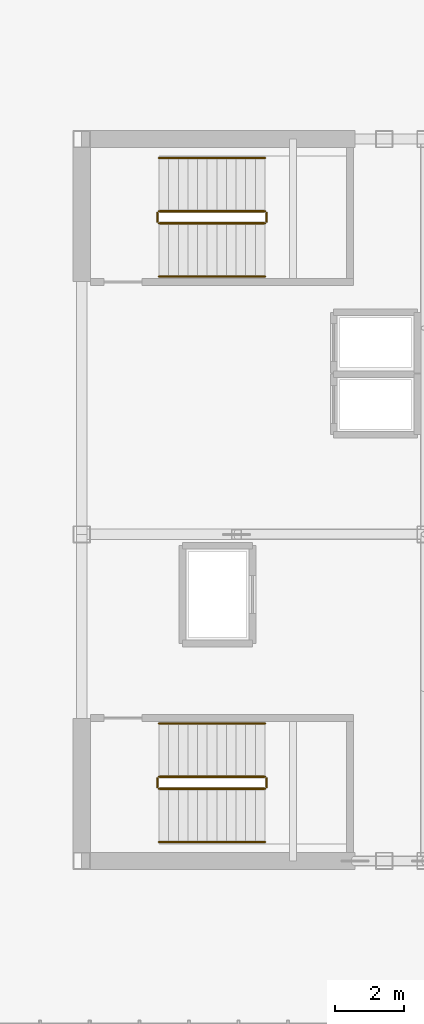
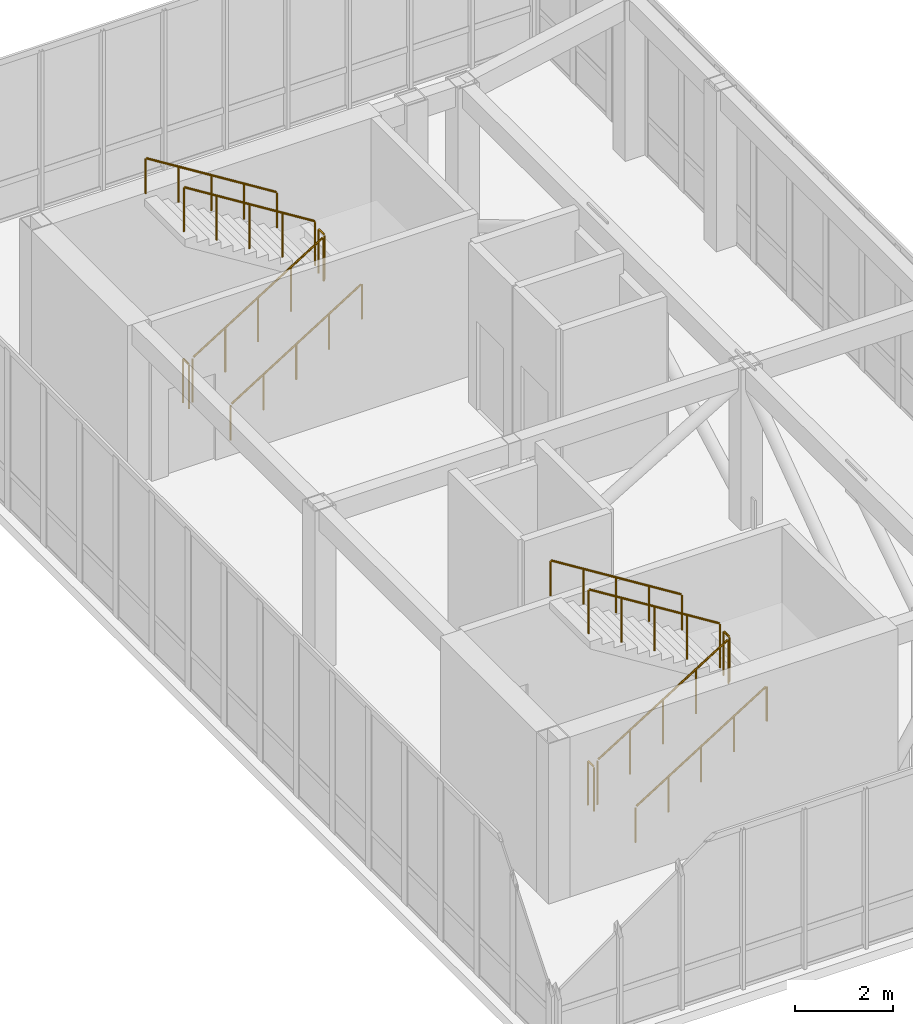
# One storey, part 13 of 13: 12 railings.
"""IFC4 building model written with IfcOpenShell, lengths in metres."""

from ifc_helpers import new_model, si_unit, direction, frame, origin, origin_2d, place, context, subcontext, project, spatial, circle, extrude, source, transform, mapped, material, layer, layer_set, type_object, element, save


model = new_model("IFC4")

# Units and contexts
model_context = context("Model", 3, precision=1e-05, world=origin(), true_north=direction((0.0, 1.0)))
body_context = subcontext(model_context, "Body", "Model", "MODEL_VIEW")
ifc_project = project(units=[si_unit("LENGTHUNIT", "METRE"), si_unit("AREAUNIT", "SQUARE_METRE"), si_unit("VOLUMEUNIT", "CUBIC_METRE"), si_unit("PLANEANGLEUNIT", "RADIAN"), si_unit("MASSUNIT", "GRAM", prefix="KILO")], contexts=[model_context])

# Site, building, storey
site_placement = place(None, origin())
site = spatial("IfcSite", under=ifc_project, at=site_placement, CompositionType="ELEMENT")
building_placement = place(site_placement, origin())
building = spatial("IfcBuilding", under=site, at=building_placement, Name="Kharzan Plaza Tower", CompositionType="ELEMENT")
storey_placement = place(building_placement, frame((0.0, 0.0, 277.199951171875)))
storey = spatial("IfcBuildingStorey", under=building, at=storey_placement, Name="L75-CROWN", CompositionType="ELEMENT", Elevation=277.199951171875)

# Railings
ifc_material_1 = material(Name="Painted Galvanized Architectural Steel", Category="steel")
ifc_layer_1 = layer(ifc_material_1, 0.074951171875)
ifc_layer_set_1 = layer_set([ifc_layer_1], Name="Painted Galvanized Architectural Steel")
railing_type_1 = type_object("IfcRailingType", Name="RL-GUARD-1120", PredefinedType="BALUSTRADE", material=ifc_layer_set_1)
shared_shape_1 = source(origin(), body_context, "Body", "SweptSolid", [
    extrude(circle(Radius=0.02392578125, at=origin_2d()), frame((0.0, 0.0263671875, 1.09619140625), z_axis=(0.0, 1.0, 0.0), x_axis=(-1.0, 0.0, 0.0)), (0.0, 0.0, 1.0), 0.197021484375),
    extrude(circle(Radius=0.02099609375, at=origin_2d()), origin(), (0.0, 0.0, 1.0), 1.072021484375),
    extrude(circle(Radius=0.02099609375, at=origin_2d()), frame((0.0, 0.25, 0.0)), (0.0, 0.0, 1.0), 1.072021484375),
])
for number, where, name in (
    (1, (9.8798828125, 10.64990234375, 2.10009765625), "L75-CROWN ST-1 stair guard 2"),
    (2, (6.699951171875, 10.64990234375, 0.0), "L75-CROWN ST-1 stair guard 4"),
    (3, (9.8798828125, 27.10009765625, 2.10009765625), "L75-CROWN ST-2 stair guard 2"),
    (4, (6.699951171875, 27.10009765625, 0.0), "L75-CROWN ST-2 stair guard 4"),
):
    element("IfcRailing", number, at=place(storey_placement, frame(where)), inside=storey, type_object=railing_type_1, Name=name, PredefinedType="BALUSTRADE", context=body_context, shape_type="MappedRepresentation", body=[
        mapped(shared_shape_1, transform((0.0, 0.0, 0.0), x_axis=(1.0, 0.0, 0.0), y_axis=(0.0, 1.0, 0.0), z_axis=(0.0, 0.0, 1.0))),
    ])
shared_shape_2 = source(origin(), body_context, "Body", "SweptSolid", [
    extrude(circle(Radius=0.02392578125, at=origin_2d()), frame((0.0224609375, 0.0, 1.110107421875), z_axis=(0.847998304005, 0.0, 0.529998940003), x_axis=(0.0, 1.0, 0.0)), (0.0, 0.0, 1.0), 3.579345703125),
    extrude(circle(Radius=0.02099609375, at=origin_2d()), origin(), (0.0, 0.0, 1.0), 1.072021484375),
    extrude(circle(Radius=0.02099609375, at=origin_2d()), frame((0.77001953125, 0.0, 0.481201171875)), (0.0, 0.0, 1.0), 1.072021484375),
    extrude(circle(Radius=0.02099609375, at=origin_2d()), frame((1.5400390625, 0.0, 0.96240234375)), (0.0, 0.0, 1.0), 1.072021484375),
    extrude(circle(Radius=0.02099609375, at=origin_2d()), frame((2.31005859375, 0.0, 1.44384765625)), (0.0, 0.0, 1.0), 1.072021484375),
    extrude(circle(Radius=0.02099609375, at=origin_2d()), frame((3.080078125, 0.0, 1.925048828125)), (0.0, 0.0, 1.0), 1.072021484375),
])
for number, where, name in (
    (5, (6.75, 10.60009765625, 0.175048828125), "L75-CROWN ST-1 stair guard 1"),
    (6, (6.75, 27.050048828125, 0.175048828125), "L75-CROWN ST-2 stair guard 1"),
):
    element("IfcRailing", number, at=place(storey_placement, frame(where)), inside=storey, type_object=railing_type_1, Name=name, PredefinedType="BALUSTRADE", context=body_context, shape_type="MappedRepresentation", body=[
        mapped(shared_shape_2, transform((0.0, 0.0, 0.0), x_axis=(1.0, 0.0, 0.0), y_axis=(0.0, 1.0, 0.0), z_axis=(0.0, 0.0, 1.0))),
    ])
shared_shape_3 = source(origin(), body_context, "Body", "SweptSolid", [
    extrude(circle(Radius=0.02392578125, at=origin_2d()), frame((-0.0224609375, 0.0, 1.110107421875), z_axis=(-0.848028513186, 0.0, 0.529950602248), x_axis=(0.0, -1.0, 0.0)), (0.0, 0.0, 1.0), 3.5791015625),
    extrude(circle(Radius=0.02099609375, at=origin_2d()), origin(), (0.0, 0.0, 1.0), 1.072021484375),
    extrude(circle(Radius=0.02099609375, at=origin_2d()), frame((-0.77001953125, 0.0, 0.481201171875)), (0.0, 0.0, 1.0), 1.072021484375),
    extrude(circle(Radius=0.02099609375, at=origin_2d()), frame((-1.5400390625, 0.0, 0.96240234375)), (0.0, 0.0, 1.0), 1.072021484375),
    extrude(circle(Radius=0.02099609375, at=origin_2d()), frame((-2.31005859375, 0.0, 1.443603515625)), (0.0, 0.0, 1.0), 1.072021484375),
    extrude(circle(Radius=0.02099609375, at=origin_2d()), frame((-3.080078125, 0.0, 1.9248046875)), (0.0, 0.0, 1.0), 1.072021484375),
])
for number, where, name in (
    (7, (9.830078125, 10.949951171875, 2.275146484375), "L75-CROWN ST-1 stair guard 3"),
    (8, (9.830078125, 27.39990234375, 2.275146484375), "L75-CROWN ST-2 stair guard 3"),
):
    element("IfcRailing", number, at=place(storey_placement, frame(where)), inside=storey, type_object=railing_type_1, Name=name, PredefinedType="BALUSTRADE", context=body_context, shape_type="MappedRepresentation", body=[
        mapped(shared_shape_3, transform((0.0, 0.0, 0.0), x_axis=(1.0, 0.0, 0.0), y_axis=(0.0, 1.0, 0.0), z_axis=(0.0, 0.0, 1.0))),
    ])
ifc_material_2 = material(Name="Brushed Stainless Steel", Category="steel")
ifc_layer_2 = layer(ifc_material_2, 0.050048828125)
ifc_layer_set_2 = layer_set([ifc_layer_2], Name="Brushed Stainless Steel")
railing_type_2 = type_object("IfcRailingType", Name="RL-STAIR-HR920", PredefinedType="HANDRAIL", material=ifc_layer_set_2)
shared_shape_4 = source(origin(), body_context, "Body", "SweptSolid", [
    extrude(circle(Radius=0.02392578125, at=origin_2d()), frame((0.0224609375, 0.0, 0.889892578125), z_axis=(0.847998304005, 0.0, 0.529998940003), x_axis=(0.0, 1.0, 0.0)), (0.0, 0.0, 1.0), 3.579345703125),
    extrude(circle(Radius=0.02099609375, at=origin_2d()), origin(), (0.0, 0.0, 1.0), 0.851806640625),
    extrude(circle(Radius=0.02099609375, at=origin_2d()), frame((0.77001953125, 0.0, 0.481201171875)), (0.0, 0.0, 1.0), 0.851806640625),
    extrude(circle(Radius=0.02099609375, at=origin_2d()), frame((1.5400390625, 0.0, 0.96240234375)), (0.0, 0.0, 1.0), 0.851806640625),
    extrude(circle(Radius=0.02099609375, at=origin_2d()), frame((2.31005859375, 0.0, 1.44384765625)), (0.0, 0.0, 1.0), 0.851806640625),
    extrude(circle(Radius=0.02099609375, at=origin_2d()), frame((3.080078125, 0.0, 1.925048828125)), (0.0, 0.0, 1.0), 0.851806640625),
])
for number, where, name in (
    (9, (6.75, 9.050048828125, 0.175048828125), "L75-CROWN ST-1 stair handrail 1"),
    (10, (6.75, 25.5, 0.175048828125), "L75-CROWN ST-2 stair handrail 1"),
):
    element("IfcRailing", number, at=place(storey_placement, frame(where)), inside=storey, type_object=railing_type_2, Name=name, PredefinedType="HANDRAIL", context=body_context, shape_type="MappedRepresentation", body=[
        mapped(shared_shape_4, transform((0.0, 0.0, 0.0), x_axis=(1.0, 0.0, 0.0), y_axis=(0.0, 1.0, 0.0), z_axis=(0.0, 0.0, 1.0))),
    ])
shared_shape_5 = source(origin(), body_context, "Body", "SweptSolid", [
    extrude(circle(Radius=0.02392578125, at=origin_2d()), frame((-0.0224609375, 0.0, 0.889892578125), z_axis=(-0.848028513186, 0.0, 0.529950602248), x_axis=(0.0, -1.0, 0.0)), (0.0, 0.0, 1.0), 3.5791015625),
    extrude(circle(Radius=0.02099609375, at=origin_2d()), origin(), (0.0, 0.0, 1.0), 0.851806640625),
    extrude(circle(Radius=0.02099609375, at=origin_2d()), frame((-0.77001953125, 0.0, 0.481201171875)), (0.0, 0.0, 1.0), 0.851806640625),
    extrude(circle(Radius=0.02099609375, at=origin_2d()), frame((-1.5400390625, 0.0, 0.96240234375)), (0.0, 0.0, 1.0), 0.851806640625),
    extrude(circle(Radius=0.02099609375, at=origin_2d()), frame((-2.31005859375, 0.0, 1.443603515625)), (0.0, 0.0, 1.0), 0.851806640625),
    extrude(circle(Radius=0.02099609375, at=origin_2d()), frame((-3.080078125, 0.0, 1.9248046875)), (0.0, 0.0, 1.0), 0.851806640625),
])
for number, where, name in (
    (11, (9.830078125, 12.5, 2.275146484375), "L75-CROWN ST-1 stair handrail 2"),
    (12, (9.830078125, 28.949951171875, 2.275146484375), "L75-CROWN ST-2 stair handrail 2"),
):
    element("IfcRailing", number, at=place(storey_placement, frame(where)), inside=storey, type_object=railing_type_2, Name=name, PredefinedType="HANDRAIL", context=body_context, shape_type="MappedRepresentation", body=[
        mapped(shared_shape_5, transform((0.0, 0.0, 0.0), x_axis=(1.0, 0.0, 0.0), y_axis=(0.0, 1.0, 0.0), z_axis=(0.0, 0.0, 1.0))),
    ])

save(model, "model.ifc")
